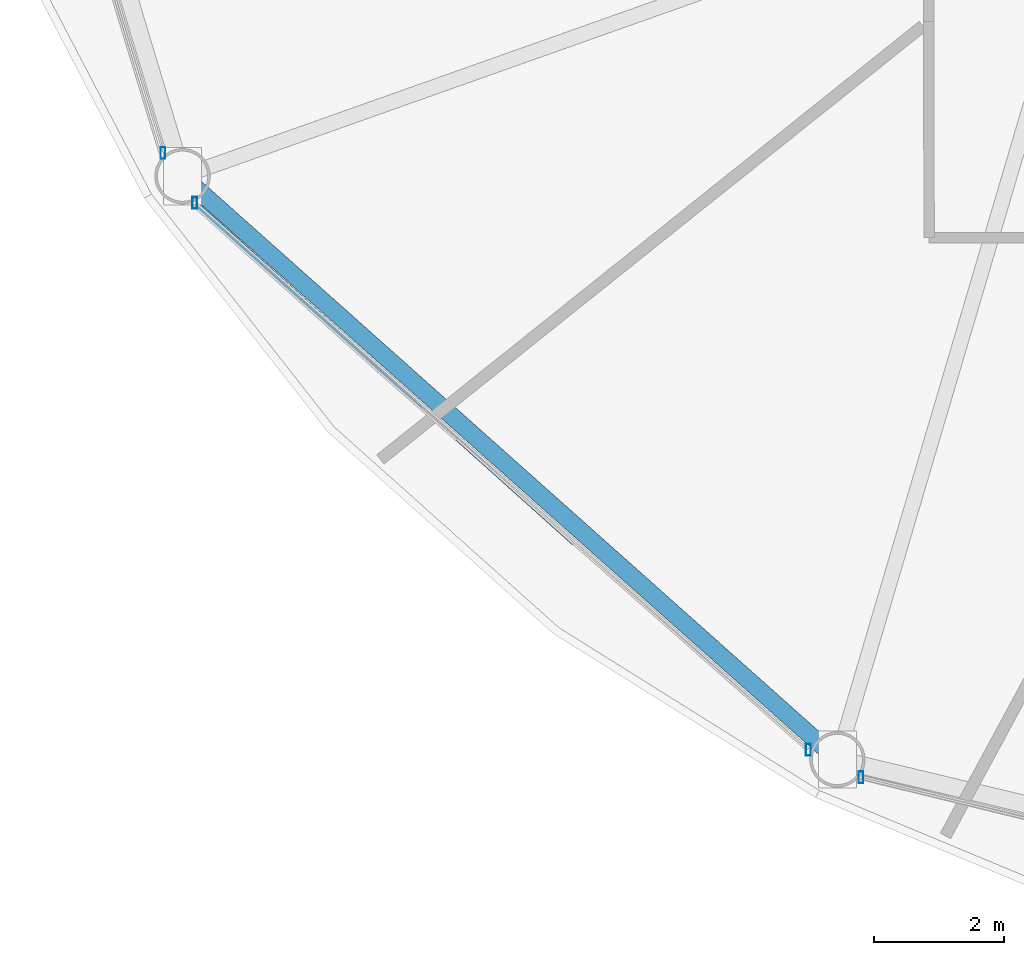
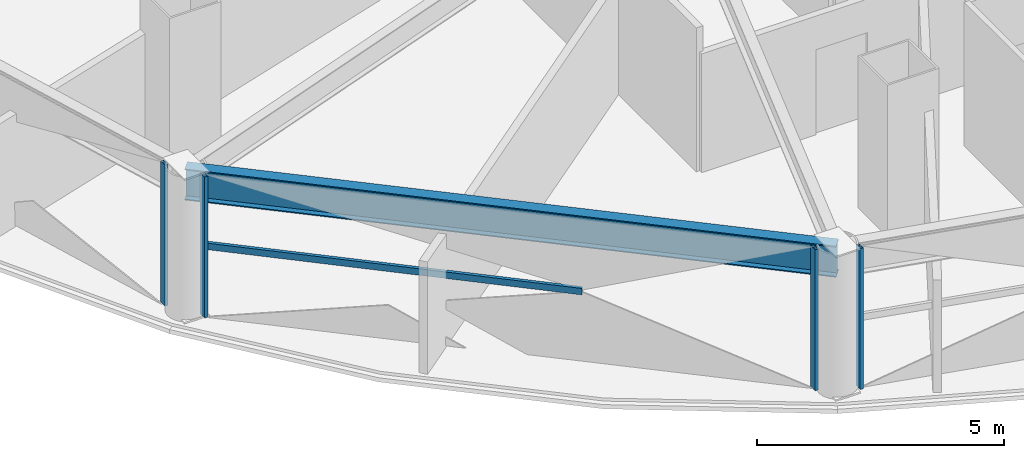
# One storey, part 2 of 29: 5 members, 1 beam, 3 elements without a shape of their own.
"""IFC4 building model written with IfcOpenShell, lengths in metres."""

from ifc_helpers import new_model, si_unit, direction, frame, origin, origin_2d, place, context, subcontext, project, spatial, hollow_rectangle, i_section, extrude, material, layer, layer_set, material_profile, profile_set, type_object, element, aggregate, save


model = new_model("IFC4")

# Units and contexts
model_context = context("Model", 3, precision=1e-05, world=origin(), true_north=direction((0.0, 1.0)))
body_context = subcontext(model_context, "Body", "Model", "MODEL_VIEW")
ifc_project = project(units=[si_unit("LENGTHUNIT", "METRE"), si_unit("AREAUNIT", "SQUARE_METRE"), si_unit("VOLUMEUNIT", "CUBIC_METRE"), si_unit("PLANEANGLEUNIT", "RADIAN"), si_unit("MASSUNIT", "GRAM", prefix="KILO")], contexts=[model_context])

# Site, building, storey
site_placement = place(None, origin())
site = spatial("IfcSite", under=ifc_project, at=site_placement, CompositionType="ELEMENT")
building_placement = place(site_placement, origin())
building = spatial("IfcBuilding", under=site, at=building_placement, Name="Vantalir Tower", CompositionType="ELEMENT")
storey_placement = place(building_placement, frame((0.0, 0.0, 60.75)))
storey = spatial("IfcBuildingStorey", under=building, at=storey_placement, Name="L14", CompositionType="ELEMENT", Elevation=60.75)

# Beam
ifc_material_1 = material(Name="Steel S460", Category="steel")
ifc_material_profile_1 = material_profile(ifc_material_1, i_section(OverallWidth=0.26806640625, OverallDepth=0.77001953125, WebThickness=0.015625, FlangeThickness=0.025390625, at=origin_2d()), Name="Steel S460")
ifc_profile_set_1 = profile_set([ifc_material_profile_1], Name="Steel S460")
beam_type = type_object("IfcBeamType", Name="BM-RG-762x267", PredefinedType="USERDEFINED", material=ifc_profile_set_1)
beam_placement = place(storey_placement, frame((7.72705078125, 12.77392578125, 3.18505859375), z_axis=(0.746729154428, -0.665128235701, 0.0), x_axis=(0.665128235701, 0.746729154428, 0.0)))
element("IfcBeam", 1, at=beam_placement, inside=storey, type_object=beam_type, Name="L14 Circumferential Ring Girder 08", ObjectType="GIRDER", PredefinedType="USERDEFINED", context=body_context, shape_type="SweptSolid", body=[
    extrude(i_section(OverallWidth=0.26806640625, OverallDepth=0.77001953125, WebThickness=0.015625, FlangeThickness=0.025390625, at=origin_2d()), origin(), (0.0, 0.0, 1.0), 13.45458984375),
])

# Curtain wall, member
ifc_material_2 = material(Name="Champagne-silver PVDF aluminium and double-silver Low-E glass", Category="aluminium")
ifc_layer = layer(ifc_material_2, 0.18994140625)
ifc_layer_set = layer_set([ifc_layer], Name="Champagne-silver PVDF aluminium and double-silver Low-E glass")
curtain_wall_type = type_object("IfcCurtainWallType", Name="CW-DIAMOND-Z1", PredefinedType="USERDEFINED", material=ifc_layer_set)
curtain_wall_1_placement = place(storey_placement, origin())
curtain_wall_1 = element("IfcCurtainWall", 2, at=curtain_wall_1_placement, inside=storey, type_object=curtain_wall_type, Name="L14 Quilted Pyramid-Diamond Curtain Wall S07", ObjectType="UNITISED CURTAIN WALL", PredefinedType="USERDEFINED")
ifc_material_3 = material(Name="Champagne-silver PVDF aluminium 6063-T6", Category="aluminium")
ifc_material_profile_2 = material_profile(ifc_material_3, hollow_rectangle(XDim=0.074951171875, YDim=0.179931640625, WallThickness=0.00390625, at=origin_2d()), Name="Champagne-silver PVDF aluminium 6063-T6")
ifc_profile_set_2 = profile_set([ifc_material_profile_2], Name="Champagne-silver PVDF aluminium 6063-T6")
member_type_1 = type_object("IfcMemberType", Name="CWM-180x75", PredefinedType="MULLION", material=ifc_profile_set_2)
member_1_placement = place(storey_placement, frame((7.427001953125, 13.12890625, 0.044921875), z_axis=(0.0, 0.0, 1.0), x_axis=(1.0, 0.0, 0.0)))
member_1 = element("IfcMember", 3, at=member_1_placement, type_object=member_type_1, Name="CW-L14-S07 Mullion 2", PredefinedType="MULLION", context=body_context, shape_type="SweptSolid", body=[
    extrude(hollow_rectangle(XDim=0.074951171875, YDim=0.179931640625, WallThickness=0.00390625, at=origin_2d()), origin(), (0.0, 0.0, 1.0), 3.47998046875),
])
aggregate(curtain_wall_1, [member_1])

# Curtain wall, members
curtain_wall_2_placement = place(storey_placement, origin())
curtain_wall_2 = element("IfcCurtainWall", 4, at=curtain_wall_2_placement, inside=storey, type_object=curtain_wall_type, Name="L14 Quilted Pyramid-Diamond Curtain Wall S08", ObjectType="UNITISED CURTAIN WALL", PredefinedType="USERDEFINED")
member_2_placement = place(storey_placement, frame((7.9130859375, 12.365966796875, 0.044921875), z_axis=(0.0, 0.0, 1.0), x_axis=(1.0, 0.0, 0.0)))
member_2 = element("IfcMember", 5, at=member_2_placement, type_object=member_type_1, Name="CW-L14-S08 Mullion 1", PredefinedType="MULLION", context=body_context, shape_type="SweptSolid", body=[
    extrude(hollow_rectangle(XDim=0.074951171875, YDim=0.179931640625, WallThickness=0.00390625, at=origin_2d()), origin(), (0.0, 0.0, 1.0), 3.47998046875),
])
member_3_placement = place(storey_placement, frame((17.327880859375, 3.972900390625, 0.044921875), z_axis=(0.0, 0.0, 1.0), x_axis=(1.0, 0.0, 0.0)))
member_3 = element("IfcMember", 6, at=member_3_placement, type_object=member_type_1, Name="CW-L14-S08 Mullion 2", PredefinedType="MULLION", context=body_context, shape_type="SweptSolid", body=[
    extrude(hollow_rectangle(XDim=0.074951171875, YDim=0.179931640625, WallThickness=0.00390625, at=origin_2d()), origin(), (0.0, 0.0, 1.0), 3.47998046875),
])

# Curtain wall, member
curtain_wall_3_placement = place(storey_placement, origin())
curtain_wall_3 = element("IfcCurtainWall", 7, at=curtain_wall_3_placement, inside=storey, type_object=curtain_wall_type, Name="L14 Quilted Pyramid-Diamond Curtain Wall S09", ObjectType="UNITISED CURTAIN WALL", PredefinedType="USERDEFINED")
member_4_placement = place(storey_placement, frame((18.135986328125, 3.551025390625, 0.044921875), z_axis=(0.0, 0.0, 1.0), x_axis=(1.0, 0.0, 0.0)))
member_4 = element("IfcMember", 8, at=member_4_placement, type_object=member_type_1, Name="CW-L14-S09 Mullion 1", PredefinedType="MULLION", context=body_context, shape_type="SweptSolid", body=[
    extrude(hollow_rectangle(XDim=0.074951171875, YDim=0.179931640625, WallThickness=0.00390625, at=origin_2d()), origin(), (0.0, 0.0, 1.0), 3.47998046875),
])
aggregate(curtain_wall_3, [member_4])

# Member
ifc_material_profile_3 = material_profile(ifc_material_3, hollow_rectangle(XDim=0.074951171875, YDim=0.159912109375, WallThickness=0.00390625, at=origin_2d()), Name="Champagne-silver PVDF aluminium 6063-T6")
ifc_profile_set_3 = profile_set([ifc_material_profile_3], Name="Champagne-silver PVDF aluminium 6063-T6")
member_type_2 = type_object("IfcMemberType", Name="CWT-160x75", PredefinedType="USERDEFINED", material=ifc_profile_set_3)
member_5_placement = place(storey_placement, frame((7.9130859375, 12.365966796875, 1.784912109375), z_axis=(0.744367641192, -0.667770031332, 0.0), x_axis=(0.667770031332, 0.744367641192, 0.0)))
member_5 = element("IfcMember", 9, at=member_5_placement, type_object=member_type_2, Name="CW-L14-S08 Pyramid Fold Ridge Transom", ObjectType="TRANSOM", PredefinedType="USERDEFINED", context=body_context, shape_type="SweptSolid", body=[
    extrude(hollow_rectangle(XDim=0.074951171875, YDim=0.159912109375, WallThickness=0.00390625, at=origin_2d()), origin(), (0.0, 0.0, 1.0), 7.818359375),
])

aggregate(curtain_wall_2, [member_2, member_3, member_5])

save(model, "model.ifc")
